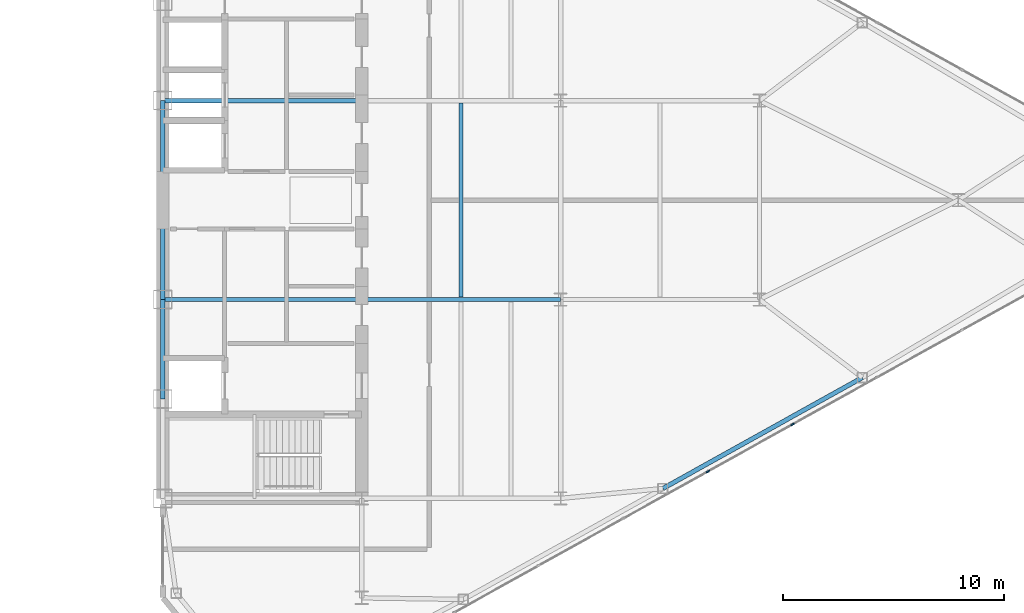
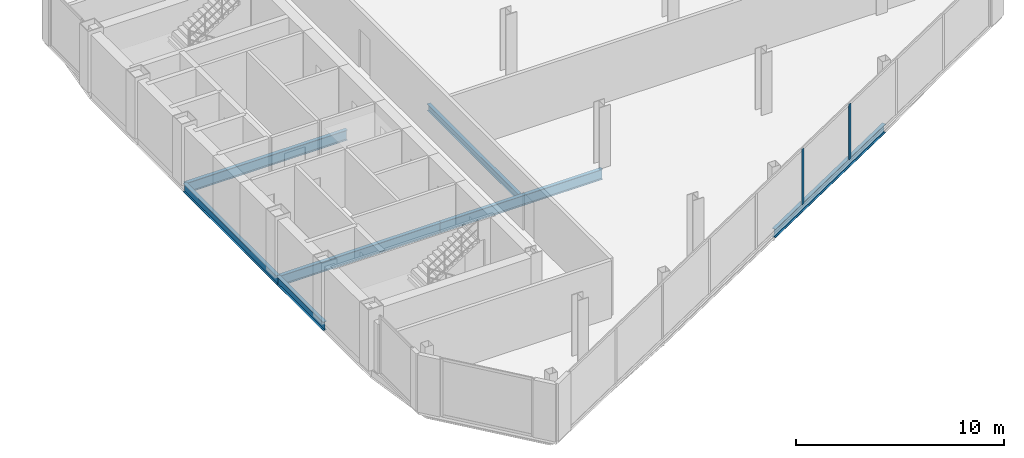
# One storey, part 13 of 26: 7 beams, 2 members, 1 element without a shape of its own.
"""IFC4 building model written with IfcOpenShell, lengths in metres."""

import ifcopenshell
import ifcopenshell.guid

model = None  # the IFC model being written
_history = None  # IfcOwnerHistory: only IFC2X3 demands one
_inside = {}  # id of a spatial element -> (the spatial element, [elements in it])
_under = {}  # id of a project, library or spatial element -> (it, [spatial elements below it])
_declared = {}  # id of a project -> (the project, [libraries it declares])
_typed = {}  # id of a type object -> (the type object, [elements of that type])
_made_of = {}  # id of a material, layer set ... -> (it, [elements and type objects made of it])


def new_model(schema):
    """Start an empty IFC model of exactly this schema.

    Asked for "IFC4X3", IfcOpenShell would pick the latest addendum, in which some entities
    have other attributes; the version numbers below select the first issue.
    IFC2X3 requires an IfcOwnerHistory on every rooted entity: one is made here for all.
    """
    global model, _history
    if schema == "IFC4X3":
        model = ifcopenshell.file(schema_version=(4, 3, 0, 0))
    else:
        model = ifcopenshell.file(schema=schema)
    _inside.clear()
    _under.clear()
    _declared.clear()
    _typed.clear()
    _made_of.clear()
    _history = None
    if model.schema == "IFC2X3":
        org = make("IfcOrganization", Name="unknown")
        user = make(
            "IfcPersonAndOrganization",
            ThePerson=make("IfcPerson", FamilyName="unknown"),
            TheOrganization=org,
        )
        app = make(
            "IfcApplication",
            ApplicationDeveloper=org,
            Version="unknown",
            ApplicationFullName="unknown",
            ApplicationIdentifier="unknown",
        )
        _history = make(
            "IfcOwnerHistory",
            OwningUser=user,
            OwningApplication=app,
            ChangeAction="ADDED",
            CreationDate=0,
        )
    return model


def make(cls, **values):
    """One entity of the class cls with the attributes given. An attribute that is None is left unset."""
    return model.create_entity(
        cls, **{name: value for name, value in values.items() if value is not None}
    )


def rooted(cls, **values):
    """An entity with a GlobalId (a new one), such as an element, a storey or a relation."""
    return make(cls, GlobalId=ifcopenshell.guid.new(), OwnerHistory=_history, **values)


def si_unit(unit_type, name, prefix=None):
    """IfcSIUnit, for example si_unit("LENGTHUNIT", "METRE", prefix="MILLI")."""
    return make("IfcSIUnit", UnitType=unit_type, Prefix=prefix, Name=name)


def assignment(units):
    """IfcUnitAssignment: the units of a project."""
    return None if units is None else make("IfcUnitAssignment", Units=units)


def point(xyz):
    """IfcCartesianPoint."""
    return None if xyz is None else make("IfcCartesianPoint", Coordinates=xyz)


def direction(xyz):
    """IfcDirection."""
    return None if xyz is None else make("IfcDirection", DirectionRatios=xyz)


def frame(location, z_axis=None, x_axis=None):
    """IfcAxis2Placement3D, a coordinate frame: its origin and axes. An axis left out is left unset."""
    return make(
        "IfcAxis2Placement3D",
        Location=point(location),
        Axis=direction(z_axis),
        RefDirection=direction(x_axis),
    )


def frame_2d(location, x_axis=None):
    """IfcAxis2Placement2D, a coordinate frame in the plane: its origin and x axis."""
    return make(
        "IfcAxis2Placement2D", Location=point(location), RefDirection=direction(x_axis)
    )


def origin():
    """The frame at (0, 0, 0) with its axes left unset."""
    return frame((0.0, 0.0, 0.0))


def origin_2d():
    """The frame at (0, 0) in the plane with its x axis left unset."""
    return frame_2d((0.0, 0.0))


def place(relative_to, where):
    """IfcLocalPlacement: puts the frame where relative to a parent placement (None: the world)."""
    return make(
        "IfcLocalPlacement", PlacementRelTo=relative_to, RelativePlacement=where
    )


def context(
    kind, dimensions, precision=None, world=None, true_north=None, identifier=None
):
    """IfcGeometricRepresentationContext, for example the 3D "Model" context."""
    return make(
        "IfcGeometricRepresentationContext",
        ContextIdentifier=identifier,
        ContextType=kind,
        CoordinateSpaceDimension=dimensions,
        Precision=precision,
        WorldCoordinateSystem=world,
        TrueNorth=true_north,
    )


def subcontext(parent, identifier, kind, view, scale=None):
    """IfcGeometricRepresentationSubContext, for example "Body" below "Model"."""
    return make(
        "IfcGeometricRepresentationSubContext",
        ContextIdentifier=identifier,
        ContextType=kind,
        ParentContext=parent,
        TargetScale=scale,
        TargetView=view,
    )


def project(units=None, contexts=None):
    """IfcProject with its units and contexts."""
    return rooted(
        "IfcProject",
        Name="project",
        RepresentationContexts=contexts,
        UnitsInContext=assignment(units),
    )


def spatial(cls, under=None, at=None, **own):
    """A site, building, storey or space (cls), placed at a placement, below another one or the project."""
    s = rooted(cls, ObjectPlacement=at, **own)
    if under is not None:
        _under.setdefault(under.id(), (under, []))[1].append(s)
    return s


def profile(cls, at=None, kind="AREA", **sizes):
    """A parametric profile (cls). Its sizes go by their IFC names, for example OverallWidth=200.0."""
    return make(cls, ProfileType=kind, Position=at, **sizes)


def rectangle(**sizes):
    """IfcRectangleProfileDef."""
    return profile("IfcRectangleProfileDef", **sizes)


def i_section(**sizes):
    """IfcIShapeProfileDef."""
    return profile("IfcIShapeProfileDef", **sizes)


def extrude(swept, where, along, depth):
    """IfcExtrudedAreaSolid: the profile swept, set in the frame where, extruded along a direction by depth."""
    return make(
        "IfcExtrudedAreaSolid",
        SweptArea=swept,
        Position=where,
        ExtrudedDirection=direction(along),
        Depth=depth,
    )


def shape(context_of_items, identifier, shape_type, items):
    """IfcShapeRepresentation: the items that make up one representation, for example the "Body"."""
    return make(
        "IfcShapeRepresentation",
        ContextOfItems=context_of_items,
        RepresentationIdentifier=identifier,
        RepresentationType=shape_type,
        Items=items,
    )


def source(mapping_origin, context_of_items, identifier, shape_type, items):
    """IfcRepresentationMap: a shape defined once, which mapped items show again and again."""
    return make(
        "IfcRepresentationMap",
        MappingOrigin=mapping_origin,
        MappedRepresentation=shape(context_of_items, identifier, shape_type, items),
    )


def transform(
    local_origin,
    x_axis=None,
    y_axis=None,
    z_axis=None,
    scale=None,
    scale2=None,
    scale3=None,
    uniform=True,
):
    """IfcCartesianTransformationOperator3D, or its non-uniform kind. x_axis, y_axis, z_axis: its Axis1, 2, 3."""
    if uniform:
        return make(
            "IfcCartesianTransformationOperator3D",
            Axis1=direction(x_axis),
            Axis2=direction(y_axis),
            LocalOrigin=point(local_origin),
            Scale=scale,
            Axis3=direction(z_axis),
        )
    return make(
        "IfcCartesianTransformationOperator3DnonUniform",
        Axis1=direction(x_axis),
        Axis2=direction(y_axis),
        LocalOrigin=point(local_origin),
        Scale=scale,
        Axis3=direction(z_axis),
        Scale2=scale2,
        Scale3=scale3,
    )


def mapped(mapping_source, mapping_target):
    """IfcMappedItem: shows the shape of a source again, moved by a transform."""
    return make(
        "IfcMappedItem", MappingSource=mapping_source, MappingTarget=mapping_target
    )


def material(Name=None, Category=None):
    """IfcMaterial."""
    return make("IfcMaterial", Name=Name, Category=Category)


def layer(
    of_material, thickness, ventilated=None, Name=None, Category=None, Priority=None
):
    """IfcMaterialLayer: one layer of a wall or slab, of a material (None: an air gap)."""
    return make(
        "IfcMaterialLayer",
        Material=of_material,
        LayerThickness=thickness,
        IsVentilated=ventilated,
        Name=Name,
        Category=Category,
        Priority=Priority,
    )


def layer_set(layers, Name=None):
    """IfcMaterialLayerSet."""
    return make("IfcMaterialLayerSet", MaterialLayers=layers, LayerSetName=Name)


def material_profile(
    of_material, cross_section, Name=None, Category=None, Priority=None
):
    """IfcMaterialProfile: a cross section and its material."""
    return make(
        "IfcMaterialProfile",
        Name=Name,
        Material=of_material,
        Profile=cross_section,
        Priority=Priority,
        Category=Category,
    )


def profile_set(profiles, Name=None, composite=None):
    """IfcMaterialProfileSet."""
    return make(
        "IfcMaterialProfileSet",
        Name=Name,
        MaterialProfiles=profiles,
        CompositeProfile=composite,
    )


def made_of(thing, what):
    """Note that an element or type object is made of a material, layer set ...; save() writes the relation."""
    if what is not None:
        _made_of.setdefault(what.id(), (what, []))[1].append(thing)
    return thing


def type_object(cls, material=None, **own):
    """A type object (cls), such as IfcWallType, which elements share."""
    return made_of(rooted(cls, **own), material)


def type_shapes(of_type, sources):
    """Give a type object the sources (RepresentationMaps) that its elements show as mapped items."""
    of_type.RepresentationMaps = sources


def element(
    cls,
    number,
    at=None,
    inside=None,
    cuts=None,
    type_object=None,
    material=None,
    context=None,
    identifier="Body",
    shape_type=None,
    held_by="IfcProductDefinitionShape",
    body=None,
    shapes=None,
    **own,
):
    """One element of the class cls, such as IfcWall. Its Tag is "e" and its number.

    at: its placement. inside: the storey or other place that contains it. cuts: it is an
    opening in that element (IfcRelVoidsElement). A single representation is given by context,
    identifier, shape_type and body (its items); several are given by shapes. held_by: the class
    of the entity that holds the representations. save() writes the other relations.
    """
    e = rooted(cls, Tag="e%d" % number, ObjectPlacement=at, **own)
    if body is not None:
        shapes = [shape(context, identifier, shape_type, body)]
    if shapes is not None:
        e.Representation = make(held_by, Representations=shapes)
    if inside is not None:
        _inside.setdefault(inside.id(), (inside, []))[1].append(e)
    if cuts is not None:
        rooted(
            "IfcRelVoidsElement", RelatingBuildingElement=cuts, RelatedOpeningElement=e
        )
    if type_object is not None:
        _typed.setdefault(type_object.id(), (type_object, []))[1].append(e)
    return made_of(e, material)


def aggregate(whole, parts):
    """IfcRelAggregates: a whole, such as a stair, and the parts it consists of."""
    return rooted("IfcRelAggregates", RelatingObject=whole, RelatedObjects=parts)


def save(model, path):
    """Write the relations noted so far, then the file.

    IfcRelAggregates (storeys below a building ...), IfcRelContainedInSpatialStructure (elements
    in a storey), IfcRelDefinesByType, IfcRelAssociatesMaterial and IfcRelDeclares: one each for
    every whole, place, type object, material and project.
    """
    for whole, parts in _under.values():
        aggregate(whole, parts)
    for where, things in _inside.values():
        rooted(
            "IfcRelContainedInSpatialStructure",
            RelatedElements=things,
            RelatingStructure=where,
        )
    for kind, things in _typed.values():
        rooted("IfcRelDefinesByType", RelatedObjects=things, RelatingType=kind)
    for what, things in _made_of.values():
        rooted("IfcRelAssociatesMaterial", RelatedObjects=things, RelatingMaterial=what)
    for by, libraries in _declared.values():
        rooted("IfcRelDeclares", RelatingContext=by, RelatedDefinitions=libraries)
    model.write(path)


model = new_model("IFC4")

# Units and contexts
model_context = context("Model", 3, precision=1e-05, world=origin(), true_north=direction((0.0, 1.0)))
body_context = subcontext(model_context, "Body", "Model", "MODEL_VIEW")
ifc_project = project(units=[si_unit("LENGTHUNIT", "METRE"), si_unit("AREAUNIT", "SQUARE_METRE"), si_unit("VOLUMEUNIT", "CUBIC_METRE"), si_unit("PLANEANGLEUNIT", "RADIAN"), si_unit("MASSUNIT", "GRAM", prefix="KILO")], contexts=[model_context])

# Site, building, storey
site_placement = place(None, origin())
site = spatial("IfcSite", under=ifc_project, at=site_placement, CompositionType="ELEMENT")
building_placement = place(site_placement, origin())
building = spatial("IfcBuilding", under=site, at=building_placement, Name="Seokmaru Belvedere", CompositionType="ELEMENT")
storey_placement = place(building_placement, frame((0.0, 0.0, 177.89990234375)))
storey = spatial("IfcBuildingStorey", under=building, at=storey_placement, Name="L47", CompositionType="ELEMENT", Elevation=177.89990234375)

# Beams
ifc_material_1 = material(Name="Steel SM355 (355 MPa)", Category="steel")
ifc_material_profile_1 = material_profile(ifc_material_1, i_section(OverallWidth=0.199951171875, OverallDepth=0.5, WebThickness=0.010009765625, FlangeThickness=0.01611328125, at=origin_2d()), Name="H-500x200x10x16")
ifc_profile_set_1 = profile_set([ifc_material_profile_1], Name="Steel SM355 (355 MPa)")
beam_type_1 = type_object("IfcBeamType", Name="Perimeter Spandrel Beam H-500", PredefinedType="SPANDREL", material=ifc_profile_set_1)
shared_shape_1 = source(origin(), body_context, "Body", "SweptSolid", [
    extrude(i_section(OverallWidth=0.199951171875, OverallDepth=0.5, WebThickness=0.010009765625, FlangeThickness=0.01611328125, at=origin_2d()), origin(), (0.0, 0.0, 1.0), 4.5),
])
beam_1_placement = place(storey_placement, frame((27.5, -9.0, -0.469970703125), z_axis=(0.0, 1.0, 0.0), x_axis=(-1.0, 0.0, 0.0)))
element("IfcBeam", 1, at=beam_1_placement, inside=storey, type_object=beam_type_1, Name="L47 E Portal Spine Spandrel 2", PredefinedType="SPANDREL", context=body_context, shape_type="MappedRepresentation", body=[
    mapped(shared_shape_1, transform((0.0, 0.0, 0.0), scale=1.0)),
])
shared_shape_2 = source(origin(), body_context, "Body", "SweptSolid", [
    extrude(i_section(OverallWidth=0.199951171875, OverallDepth=0.5, WebThickness=0.010009765625, FlangeThickness=0.01611328125, at=origin_2d()), origin(), (0.0, 0.0, 1.0), 9.0),
])
beam_2_placement = place(storey_placement, frame((27.5, -4.5, -0.469970703125), z_axis=(0.0, 1.0, 0.0), x_axis=(-1.0, 0.0, 0.0)))
element("IfcBeam", 2, at=beam_2_placement, inside=storey, type_object=beam_type_1, Name="L47 E Portal Spine Spandrel 3", PredefinedType="SPANDREL", context=body_context, shape_type="MappedRepresentation", body=[
    mapped(shared_shape_2, transform((0.0, 0.0, 0.0), scale=1.0)),
])
ifc_material_profile_2 = material_profile(ifc_material_1, i_section(OverallWidth=0.199951171875, OverallDepth=0.60009765625, WebThickness=0.010986328125, FlangeThickness=0.01708984375, at=origin_2d()), Name="H-600x200x11x17")
ifc_profile_set_2 = profile_set([ifc_material_profile_2], Name="Steel SM355 (355 MPa)")
beam_type_2 = type_object("IfcBeamType", Name="Primary Floor Girder H-600", PredefinedType="BEAM", material=ifc_profile_set_2)
shared_shape_3 = source(origin(), body_context, "Body", "SweptSolid", [
    extrude(i_section(OverallWidth=0.199951171875, OverallDepth=0.60009765625, WebThickness=0.010986328125, FlangeThickness=0.01708984375, at=origin_2d()), origin(), (0.0, 0.0, 1.0), 9.0),
])
type_shapes(beam_type_2, [shared_shape_3])
for number, where, z_axis, x_axis, name in (
    (3, (27.5, -4.5, -0.52001953125), (1.0, 0.0, 0.0), (0.0, 1.0, 0.0), "L47 E Core Tie Girder 2"),
    (4, (36.5, -4.5, -0.52001953125), (1.0, 0.0, 0.0), (0.0, 1.0, 0.0), "L47 E Wing Primary Girder 2"),
    (5, (27.5, 4.5, -0.52001953125), (1.0, 0.0, 0.0), (0.0, 1.0, 0.0), "L47 E Core Tie Girder 3"),
):
    element("IfcBeam", number, at=place(storey_placement, frame(where, z_axis=z_axis, x_axis=x_axis)), inside=storey, type_object=beam_type_2, Name=name, PredefinedType="BEAM", context=body_context, shape_type="MappedRepresentation", body=[
        mapped(shared_shape_3, transform((0.0, 0.0, 0.0), scale=1.0)),
    ])
ifc_material_profile_3 = material_profile(ifc_material_1, i_section(OverallWidth=0.18505859375, OverallDepth=0.389892578125, WebThickness=0.008056640625, FlangeThickness=0.011962890625, at=origin_2d()), Name="H-390x185x8x12")
ifc_profile_set_3 = profile_set([ifc_material_profile_3], Name="Steel SM355 (355 MPa)")
beam_type_3 = type_object("IfcBeamType", Name="Secondary Floor Joist H-350", PredefinedType="JOIST", material=ifc_profile_set_3)
shared_shape_4 = source(origin(), body_context, "Body", "SweptSolid", [
    extrude(i_section(OverallWidth=0.18505859375, OverallDepth=0.389892578125, WebThickness=0.008056640625, FlangeThickness=0.011962890625, at=origin_2d()), origin(), (0.0, 0.0, 1.0), 8.7900390625),
])
type_shapes(beam_type_3, [shared_shape_4])
beam_3_placement = place(storey_placement, frame((41.0, -4.39501953125, -0.414794921875), z_axis=(0.0, 1.0, 0.0), x_axis=(-1.0, 0.0, 0.0)))
element("IfcBeam", 6, at=beam_3_placement, inside=storey, type_object=beam_type_3, Name="L47 E Secondary Floor Joist 2", PredefinedType="JOIST", context=body_context, shape_type="MappedRepresentation", body=[
    mapped(shared_shape_4, transform((0.0, 0.0, 0.0), scale=1.0)),
])
shared_shape_5 = source(origin(), body_context, "Body", "SweptSolid", [
    extrude(i_section(OverallWidth=0.199951171875, OverallDepth=0.5, WebThickness=0.010009765625, FlangeThickness=0.01611328125, at=origin_2d()), origin(), (0.0, 0.0, 1.0), 10.327392578125),
])
type_shapes(beam_type_1, [shared_shape_1, shared_shape_2, shared_shape_5])
beam_4_placement = place(storey_placement, frame((50.129150390625, -13.051025390625, -0.469970703125), z_axis=(0.873934162361, 0.48604431882, 0.0), x_axis=(-0.48604431882, 0.873934162361, 0.0)))
element("IfcBeam", 7, at=beam_4_placement, inside=storey, type_object=beam_type_1, Name="L47 E Faceted Flank Spandrel S-3", PredefinedType="SPANDREL", context=body_context, shape_type="MappedRepresentation", body=[
    mapped(shared_shape_5, transform((0.0, 0.0, 0.0), scale=1.0)),
])

# Curtain wall, members
ifc_material_2 = material(Name="Bronze Triple Insulating Glass", Category="glass")
ifc_layer = layer(ifc_material_2, 0.179931640625)
ifc_layer_set = layer_set([ifc_layer], Name="Bronze Triple Insulating Glass")
curtain_wall_type = type_object("IfcCurtainWallType", Name="High-Rise Wind-Corner Curtain Wall System CW-5", PredefinedType="NOTDEFINED", material=ifc_layer_set)
curtain_wall_placement = place(storey_placement, origin())
curtain_wall = element("IfcCurtainWall", 8, at=curtain_wall_placement, inside=storey, type_object=curtain_wall_type, Name="L47 Curtain Wall EF1", PredefinedType="NOTDEFINED")
ifc_material_3 = material(Name="Anodised Bronze Aluminium", Category="aluminium")
ifc_material_profile_4 = material_profile(ifc_material_3, rectangle(XDim=0.06494140625, YDim=0.179931640625, at=origin_2d()), Name="CW-M-65x180")
ifc_profile_set_4 = profile_set([ifc_material_profile_4], Name="Anodised Bronze Aluminium")
member_type = type_object("IfcMemberType", Name="Bronze Unitised Mullion 65x180", PredefinedType="MULLION", material=ifc_profile_set_4)
shared_shape_6 = source(origin(), body_context, "Body", "SweptSolid", [
    extrude(rectangle(XDim=0.06494140625, YDim=0.179931640625, at=origin_2d()), origin(), (0.0, 0.0, 1.0), 3.25),
])
type_shapes(member_type, [shared_shape_6])
member_1_placement = place(storey_placement, frame((52.166015625, -12.2841796875, 0.065185546875), z_axis=(0.0, 0.0, 1.0), x_axis=(-0.486047125147, 0.873932601598, 0.0)))
member_1 = element("IfcMember", 9, at=member_1_placement, type_object=member_type, Name="CW:L47:EF1 Mullion 6", PredefinedType="MULLION", context=body_context, shape_type="MappedRepresentation", body=[
    mapped(shared_shape_6, transform((0.0, 0.0, 0.0), scale=1.0)),
])
member_2_placement = place(storey_placement, frame((55.998291015625, -10.153076171875, 0.065185546875), z_axis=(0.0, 0.0, 1.0), x_axis=(-0.486047125147, 0.873932601598, 0.0)))
member_2 = element("IfcMember", 10, at=member_2_placement, type_object=member_type, Name="CW:L47:EF1 Mullion 7", PredefinedType="MULLION", context=body_context, shape_type="MappedRepresentation", body=[
    mapped(shared_shape_6, transform((0.0, 0.0, 0.0), scale=1.0)),
])
aggregate(curtain_wall, [member_1, member_2])

save(model, "model.ifc")
